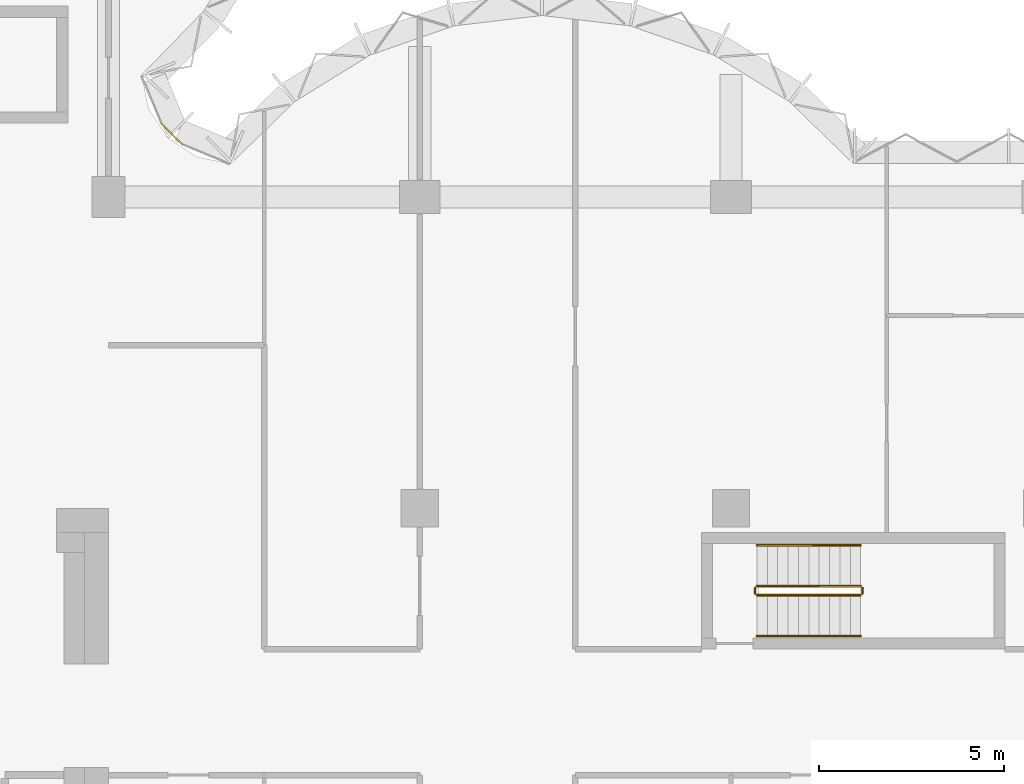
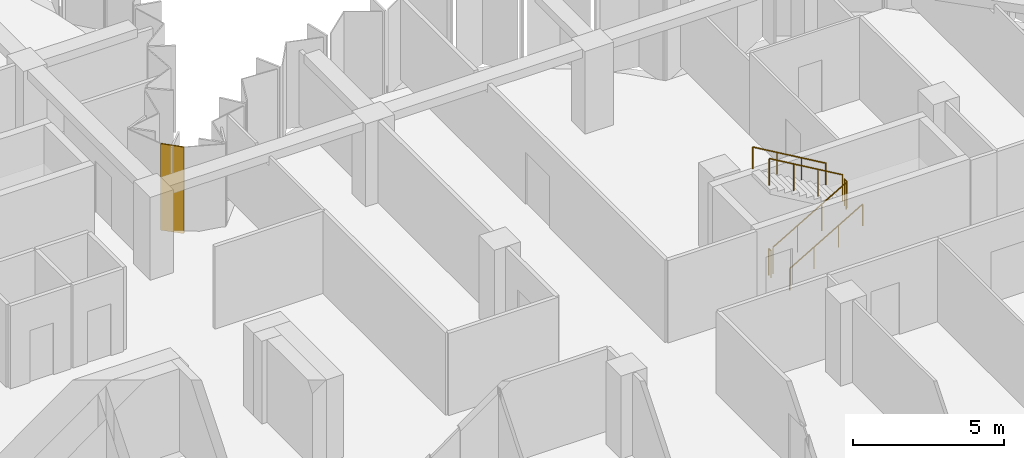
# One storey, part 10 of 10: 6 railings, 1 covering, 1 element without a shape of its own.
"""IFC4 building model written with IfcOpenShell, lengths in metres."""

from ifc_helpers import new_model, si_unit, direction, frame, origin, origin_2d, place, context, subcontext, project, spatial, polyline, circle, outline, extrude, material, layer, layer_set, type_object, element, aggregate, save


model = new_model("IFC4")

# Units and contexts
model_context = context("Model", 3, precision=1e-05, world=origin(), true_north=direction((0.0, 1.0)))
body_context = subcontext(model_context, "Body", "Model", "MODEL_VIEW")
ifc_project = project(units=[si_unit("LENGTHUNIT", "METRE"), si_unit("AREAUNIT", "SQUARE_METRE"), si_unit("VOLUMEUNIT", "CUBIC_METRE"), si_unit("PLANEANGLEUNIT", "RADIAN"), si_unit("MASSUNIT", "GRAM", prefix="KILO")], contexts=[model_context])

# Site, building, storey
site_placement = place(None, origin())
site = spatial("IfcSite", under=ifc_project, at=site_placement, CompositionType="ELEMENT")
building_placement = place(site_placement, origin())
building = spatial("IfcBuilding", under=site, at=building_placement, Name="Brevane Broadcast Tower", CompositionType="ELEMENT")
storey_placement = place(building_placement, frame((0.0, 0.0, 174.0)))
storey = spatial("IfcBuildingStorey", under=building, at=storey_placement, Name="L43", CompositionType="ELEMENT", Elevation=174.0)

# Railings
ifc_material_1 = material(Name="Steel S355", Category="steel")
railing_type_1 = type_object("IfcRailingType", Name="Exit stair guard", PredefinedType="GUARDRAIL", material=ifc_material_1)
railing_1_placement = place(storey_placement, frame((42.699951171875, 14.449951171875, 0.16357421875)))
element("IfcRailing", 1, at=railing_1_placement, inside=storey, type_object=railing_type_1, Name="L43 ST-4 stair guard 1", PredefinedType="GUARDRAIL", context=body_context, shape_type="SweptSolid", body=[
    extrude(circle(Radius=0.02392578125, at=origin_2d()), frame((0.0, 0.0, 1.076171875), z_axis=(0.863360870873, 0.0, 0.504586966384), x_axis=(0.0, 1.0, 0.0)), (0.0, 0.0, 1.0), 3.2431640625),
    extrude(circle(Radius=0.02099609375, at=origin_2d()), origin(), (0.0, 0.0, 1.0), 1.052001953125),
    extrude(circle(Radius=0.02099609375, at=origin_2d()), frame((0.933349609375, 0.0, 0.54541015625)), (0.0, 0.0, 1.0), 1.052001953125),
    extrude(circle(Radius=0.02099609375, at=origin_2d()), frame((1.86669921875, 0.0, 1.091064453125)), (0.0, 0.0, 1.0), 1.052001953125),
    extrude(circle(Radius=0.02099609375, at=origin_2d()), frame((2.800048828125, 0.0, 1.636474609375)), (0.0, 0.0, 1.0), 1.052001953125),
])
railing_2_placement = place(storey_placement, frame((45.550048828125, 14.5, 1.800048828125)))
element("IfcRailing", 2, at=railing_2_placement, inside=storey, type_object=railing_type_1, Name="L43 ST-4 stair guard 2", PredefinedType="GUARDRAIL", context=body_context, shape_type="SweptSolid", body=[
    extrude(circle(Radius=0.02392578125, at=origin_2d()), frame((0.0, 0.0, 1.076171875), z_axis=(0.0, 1.0, 0.0), x_axis=(-1.0, 0.0, 0.0)), (0.0, 0.0, 1.0), 0.14990234375),
    extrude(circle(Radius=0.02099609375, at=origin_2d()), origin(), (0.0, 0.0, 1.0), 1.052001953125),
    extrude(circle(Radius=0.02099609375, at=origin_2d()), frame((0.0, 0.14990234375, 0.0)), (0.0, 0.0, 1.0), 1.052001953125),
])
railing_3_placement = place(storey_placement, frame((45.5, 14.699951171875, 1.963623046875)))
element("IfcRailing", 3, at=railing_3_placement, inside=storey, type_object=railing_type_1, Name="L43 ST-4 stair guard 3", PredefinedType="GUARDRAIL", context=body_context, shape_type="SweptSolid", body=[
    extrude(circle(Radius=0.02392578125, at=origin_2d()), frame((0.0, 0.0, 1.076171875), z_axis=(-0.863360870873, 0.0, 0.504586966384), x_axis=(0.0, -1.0, 0.0)), (0.0, 0.0, 1.0), 3.2431640625),
    extrude(circle(Radius=0.02099609375, at=origin_2d()), origin(), (0.0, 0.0, 1.0), 1.052001953125),
    extrude(circle(Radius=0.02099609375, at=origin_2d()), frame((-0.933349609375, 0.0, 0.54541015625)), (0.0, 0.0, 1.0), 1.052001953125),
    extrude(circle(Radius=0.02099609375, at=origin_2d()), frame((-1.86669921875, 0.0, 1.091064453125)), (0.0, 0.0, 1.0), 1.052001953125),
    extrude(circle(Radius=0.02099609375, at=origin_2d()), frame((-2.800048828125, 0.0, 1.636474609375)), (0.0, 0.0, 1.0), 1.052001953125),
])
railing_4_placement = place(storey_placement, frame((42.64990234375, 14.5, 0.0)))
element("IfcRailing", 4, at=railing_4_placement, inside=storey, type_object=railing_type_1, Name="L43 ST-4 stair guard 4", PredefinedType="GUARDRAIL", context=body_context, shape_type="SweptSolid", body=[
    extrude(circle(Radius=0.02392578125, at=origin_2d()), frame((0.0, 0.0, 1.076171875), z_axis=(0.0, 1.0, 0.0), x_axis=(-1.0, 0.0, 0.0)), (0.0, 0.0, 1.0), 0.14990234375),
    extrude(circle(Radius=0.02099609375, at=origin_2d()), origin(), (0.0, 0.0, 1.0), 1.052001953125),
    extrude(circle(Radius=0.02099609375, at=origin_2d()), frame((0.0, 0.14990234375, 0.0)), (0.0, 0.0, 1.0), 1.052001953125),
])
railing_type_2 = type_object("IfcRailingType", Name="Exit stair handrail", PredefinedType="HANDRAIL", material=ifc_material_1)
railing_5_placement = place(storey_placement, frame((42.699951171875, 13.35009765625, 0.16357421875)))
element("IfcRailing", 5, at=railing_5_placement, inside=storey, type_object=railing_type_2, Name="L43 ST-4 stair handrail 1", PredefinedType="HANDRAIL", context=body_context, shape_type="SweptSolid", body=[
    extrude(circle(Radius=0.02392578125, at=origin_2d()), frame((0.0, 0.0, 0.8759765625), z_axis=(0.863360870873, 0.0, 0.504586966384), x_axis=(0.0, 1.0, 0.0)), (0.0, 0.0, 1.0), 3.2431640625),
    extrude(circle(Radius=0.02099609375, at=origin_2d()), origin(), (0.0, 0.0, 1.0), 0.851806640625),
    extrude(circle(Radius=0.02099609375, at=origin_2d()), frame((0.933349609375, 0.0, 0.54541015625)), (0.0, 0.0, 1.0), 0.851806640625),
    extrude(circle(Radius=0.02099609375, at=origin_2d()), frame((1.86669921875, 0.0, 1.091064453125)), (0.0, 0.0, 1.0), 0.851806640625),
    extrude(circle(Radius=0.02099609375, at=origin_2d()), frame((2.800048828125, 0.0, 1.636474609375)), (0.0, 0.0, 1.0), 0.851806640625),
])
railing_6_placement = place(storey_placement, frame((45.5, 15.800048828125, 1.963623046875)))
element("IfcRailing", 6, at=railing_6_placement, inside=storey, type_object=railing_type_2, Name="L43 ST-4 stair handrail 2", PredefinedType="HANDRAIL", context=body_context, shape_type="SweptSolid", body=[
    extrude(circle(Radius=0.02392578125, at=origin_2d()), frame((0.0, 0.0, 0.8759765625), z_axis=(-0.863360870873, 0.0, 0.504586966384), x_axis=(0.0, -1.0, 0.0)), (0.0, 0.0, 1.0), 3.2431640625),
    extrude(circle(Radius=0.02099609375, at=origin_2d()), origin(), (0.0, 0.0, 1.0), 0.851806640625),
    extrude(circle(Radius=0.02099609375, at=origin_2d()), frame((-0.933349609375, 0.0, 0.54541015625)), (0.0, 0.0, 1.0), 0.851806640625),
    extrude(circle(Radius=0.02099609375, at=origin_2d()), frame((-1.86669921875, 0.0, 1.091064453125)), (0.0, 0.0, 1.0), 0.851806640625),
    extrude(circle(Radius=0.02099609375, at=origin_2d()), frame((-2.800048828125, 0.0, 1.636474609375)), (0.0, 0.0, 1.0), 0.851806640625),
])

# Curtain wall, covering
ifc_material_2 = material(Name="Aluminium 6063-T6 bronze anodised", Category="aluminium")
curtain_wall_type = type_object("IfcCurtainWallType", Name="CW-1 curtain wall", PredefinedType="NOTDEFINED", material=ifc_material_2)
curtain_wall_placement = place(storey_placement, origin())
curtain_wall = element("IfcCurtainWall", 7, at=curtain_wall_placement, inside=storey, type_object=curtain_wall_type, Name="CW-1 typical tilted unit L43 inner corner", PredefinedType="NOTDEFINED")
ifc_material_3 = material(Name="Back-painted bronze glass shadow-box", Category="glass")
ifc_layer = layer(ifc_material_3, 0.0400390625)
ifc_layer_set = layer_set([ifc_layer], Name="Shadow-box panel 40")
covering_type = type_object("IfcCoveringType", Name="Shadow-box panel 40", PredefinedType="CLADDING", material=ifc_layer_set)
covering_placement = place(storey_placement, frame((0.0, 0.0, -0.14990234375)))
covering = element("IfcCovering", 8, at=covering_placement, type_object=covering_type, Name="Closure panel", PredefinedType="CLADDING", context=body_context, shape_type="SweptSolid", body=[
    extrude(outline(polyline([(27.17138671875, 26.60498046875), (27.2021484375, 26.635498046875), (26.635498046875, 27.2021484375), (26.60498046875, 27.17138671875), (27.17138671875, 26.60498046875)])), origin(), (0.0, 0.0, 1.0), 3.5),
])
aggregate(curtain_wall, [covering])

save(model, "model.ifc")
